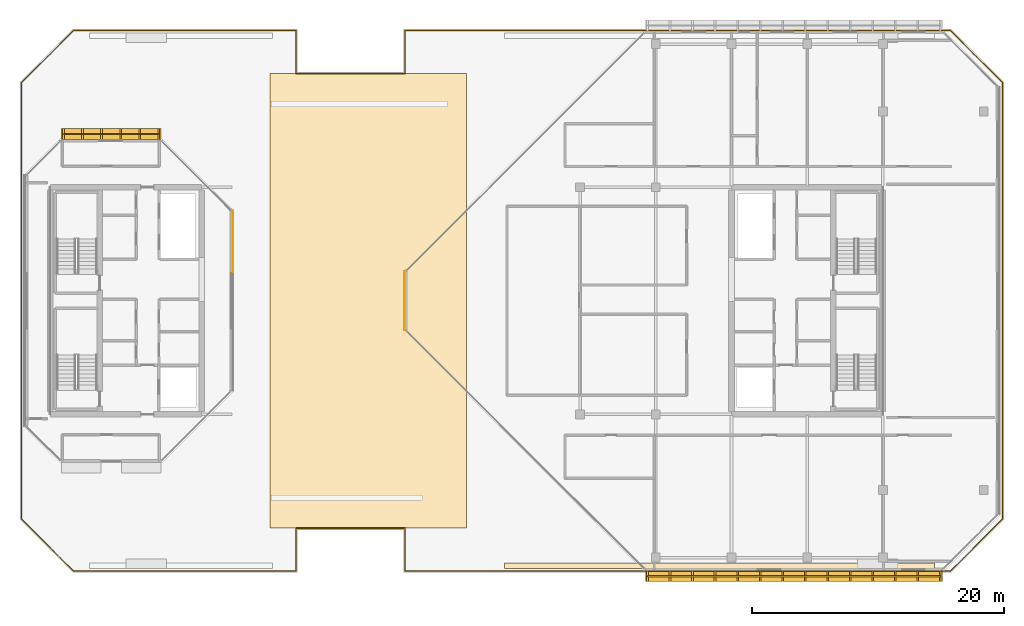
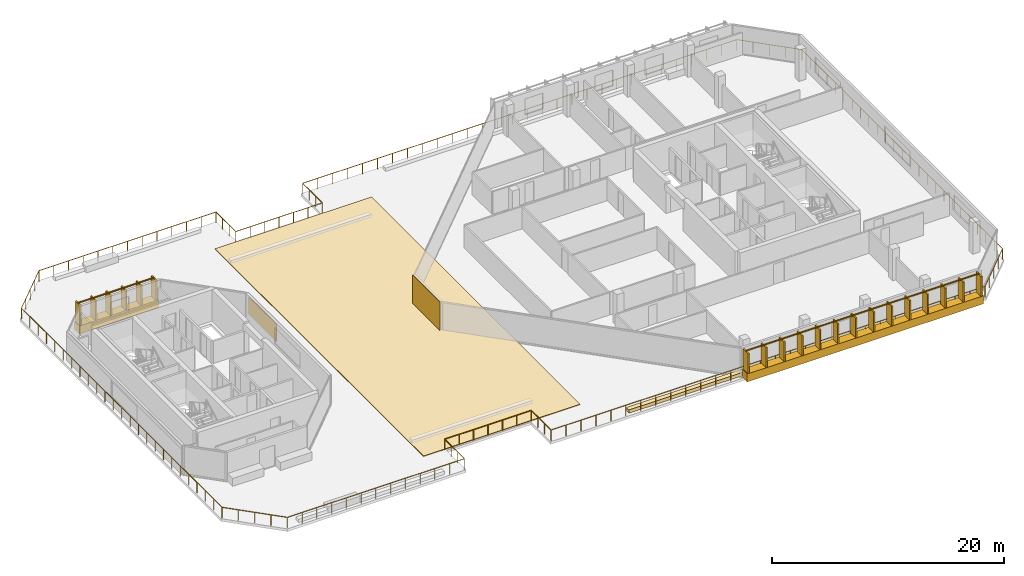
# One storey, part 28 of 30: 6 coverings, 4 railings.
"""IFC4 building model written with IfcOpenShell, lengths in metres."""

from ifc_helpers import new_model, si_unit, direction, frame, origin, origin_2d, place, context, subcontext, project, spatial, polyline, rectangle, outline, extrude, material, layer, layer_set, type_object, element, save


model = new_model("IFC4")

# Units and contexts
model_context = context("Model", 3, precision=1e-05, world=origin(), true_north=direction((0.0, 1.0)))
body_context = subcontext(model_context, "Body", "Model", "MODEL_VIEW")
ifc_project = project(units=[si_unit("LENGTHUNIT", "METRE"), si_unit("AREAUNIT", "SQUARE_METRE"), si_unit("VOLUMEUNIT", "CUBIC_METRE"), si_unit("PLANEANGLEUNIT", "RADIAN"), si_unit("MASSUNIT", "GRAM", prefix="KILO")], contexts=[model_context])

# Site, building, storey
site_placement = place(None, origin())
site = spatial("IfcSite", under=ifc_project, at=site_placement, CompositionType="ELEMENT")
building_placement = place(site_placement, origin())
building = spatial("IfcBuilding", under=site, at=building_placement, Name="Tanjung Sevakor Pilgrim Tower", CompositionType="ELEMENT")
storey_placement = place(building_placement, frame((0.0, 0.0, 229.35009765625)))
storey = spatial("IfcBuildingStorey", under=building, at=storey_placement, Name="L64", CompositionType="ELEMENT", Elevation=229.35009765625)

# Coverings
ifc_material_1 = material(Name="Reconstructed Limestone Cladding", Category="masonry")
ifc_layer_1 = layer(ifc_material_1, 0.044921875)
ifc_layer_set_1 = layer_set([ifc_layer_1], Name="COV-CLAD-LIMESTONE")
covering_type_1 = type_object("IfcCoveringType", Name="COV-CLAD-LIMESTONE", PredefinedType="CLADDING", material=ifc_layer_set_1)
covering_1_placement = place(storey_placement, frame((38.472412109375, 38.2822265625, 0.849853515625), z_axis=(0.0, 0.0, 1.0), x_axis=(0.0, 1.0, 0.0)))
element("IfcCovering", 1, at=covering_1_placement, inside=storey, type_object=covering_type_1, Name="L64 Warm Limestone Pier Panel EW-L64-WEST-3-2", PredefinedType="CLADDING", context=body_context, shape_type="SweptSolid", body=[
    extrude(rectangle(XDim=4.864501953125, YDim=0.044921875, at=origin_2d()), origin(), (0.0, 0.0, 1.0), 1.81005859375),
])
covering_2_placement = place(storey_placement, frame((28.824951171875, 46.830078125, 0.009765625), z_axis=(0.0, 0.0, 1.0), x_axis=(-1.0, 0.0, 0.0)))
element("IfcCovering", 2, at=covering_2_placement, inside=storey, type_object=covering_type_1, Name="L64 Warm Limestone Sill Spandrel EW-L64-WEST-5-1", PredefinedType="CLADDING", context=body_context, shape_type="SweptSolid", body=[
    extrude(rectangle(XDim=7.87890625, YDim=0.860107421875, at=origin_2d()), origin(), (0.0, 0.0, 1.0), 0.840087890625),
])
covering_3_placement = place(storey_placement, frame((82.949951171875, 11.77001953125, 0.009765625), z_axis=(0.0, 0.0, 1.0), x_axis=(1.0, 0.0, 0.0)))
element("IfcCovering", 3, at=covering_3_placement, inside=storey, type_object=covering_type_1, Name="L64 Warm Limestone Sill Spandrel EW-L64-EAST-1-1", PredefinedType="CLADDING", context=body_context, shape_type="SweptSolid", body=[
    extrude(rectangle(XDim=23.52880859375, YDim=0.860107421875, at=origin_2d()), origin(), (0.0, 0.0, 1.0), 0.840087890625),
])
covering_4_placement = place(storey_placement, frame((52.077392578125, 33.60009765625, 0.019775390625), z_axis=(0.0, 0.0, 1.0), x_axis=(0.0, -1.0, 0.0)))
element("IfcCovering", 4, at=covering_4_placement, inside=storey, type_object=covering_type_1, Name="L64 Warm Limestone Wall Cladding EW-L64-EAST-7", PredefinedType="CLADDING", context=body_context, shape_type="SweptSolid", body=[
    extrude(rectangle(XDim=4.668701171875, YDim=0.044921875, at=origin_2d()), origin(), (0.0, 0.0, 1.0), 3.0400390625),
])
ifc_material_2 = material(Name="Vegetated Modular Planter Assembly", Category="organic")
ifc_layer_2 = layer(ifc_material_2, 0.35009765625)
ifc_layer_set_2 = layer_set([ifc_layer_2], Name="COV-GRN-TROUGH")
covering_type_2 = type_object("IfcCoveringType", Name="COV-GRN-TROUGH", PredefinedType="CLADDING", material=ifc_layer_set_2)
covering_5_placement = place(storey_placement, origin())
element("IfcCovering", 5, at=covering_5_placement, inside=storey, type_object=covering_type_2, Name="L64 Planted Landscape Hedge Trough SGRN-L64-SE", PredefinedType="CLADDING", context=body_context, shape_type="SweptSolid", body=[
    extrude(outline(polyline([(60.0, 12.3798828125), (94.10009765625, 12.3798828125), (94.10009765625, 12.820068359375), (60.0, 12.820068359375), (60.0, 12.3798828125)])), origin(), (0.0, 0.0, 1.0), 0.349853515625),
])
ifc_material_3 = material(Name="Insulated Stone Ballast Roofing", Category="masonry")
ifc_layer_3 = layer(ifc_material_3, 0.06005859375)
ifc_layer_set_3 = layer_set([ifc_layer_3], Name="COV-ROOF-STONE")
covering_type_3 = type_object("IfcCoveringType", Name="COV-ROOF-STONE", PredefinedType="ROOFING", material=ifc_layer_set_3)
covering_6_placement = place(storey_placement, frame((49.199951171875, 33.60009765625, -0.000244140625), z_axis=(0.0, 0.0, 1.0), x_axis=(1.0, 0.0, 0.0)))
element("IfcCovering", 6, at=covering_6_placement, inside=storey, type_object=covering_type_3, Name="L64 Crown Cleft Stone Plaza Paving", PredefinedType="ROOFING", context=body_context, shape_type="SweptSolid", body=[
    extrude(rectangle(XDim=15.60009765625, YDim=36.0, at=origin_2d()), origin(), (0.0, 0.0, 1.0), 0.06005859375),
])

# Railings
ifc_material_4 = material(Name="Steel S355J2", Category="steel")
railing_type_1 = type_object("IfcRailingType", Name="RL-EXT-GUARD", PredefinedType="GUARDRAIL", material=ifc_material_4)
railing_1_placement = place(storey_placement, frame((25.849609375, 12.169921875, 0.0)))
element("IfcRailing", 7, at=railing_1_placement, inside=storey, type_object=railing_type_1, Name="L64 Terrace Perimeter Guardrail GR-SKYTER-L64-1", PredefinedType="GUARDRAIL", context=body_context, shape_type="SweptSolid", body=[
    extrude(rectangle(XDim=0.0479, YDim=0.0479), frame((0.0, 0.0, 1.1259765625), z_axis=(1.0, 0.0, 0.0), x_axis=(0.0, 1.0, 0.0)), (0.0, 0.0, 1.0), 17.63037109375),
    extrude(rectangle(XDim=0.0479, YDim=0.0479), frame((17.63037109375, 0.0, 1.1259765625), z_axis=(0.0, 1.0, 0.0), x_axis=(-1.0, 0.0, 0.0)), (0.0, 0.0, 1.0), 3.400146484375),
    extrude(rectangle(XDim=0.0479, YDim=0.0479), frame((17.63037109375, 3.400146484375, 1.1259765625), z_axis=(1.0, 0.0, 0.0), x_axis=(0.0, 1.0, 0.0)), (0.0, 0.0, 1.0), 8.64013671875),
    extrude(rectangle(XDim=0.0479, YDim=0.0479), frame((26.2705078125, 3.400146484375, 1.1259765625), z_axis=(0.0, -1.0, 0.0), x_axis=(1.0, 0.0, 0.0)), (0.0, 0.0, 1.0), 3.400146484375),
    extrude(rectangle(XDim=0.0479, YDim=0.0479), frame((26.2705078125, 0.0, 1.1259765625), z_axis=(1.0, 0.0, 0.0), x_axis=(0.0, 1.0, 0.0)), (0.0, 0.0, 1.0), 43.230224609375),
    extrude(rectangle(XDim=0.0479, YDim=0.0479), frame((69.500732421875, 0.0, 1.1259765625), z_axis=(0.707085879728, 0.707127682027, 0.0), x_axis=(-0.707127682027, 0.707085879728, 0.0)), (0.0, 0.0, 1.0), 5.84033203125),
    extrude(rectangle(XDim=0.0479, YDim=0.0479), frame((73.63037109375, 4.1298828125, 1.1259765625), z_axis=(0.0, 1.0, 0.0), x_axis=(-1.0, 0.0, 0.0)), (0.0, 0.0, 1.0), 34.6005859375),
    extrude(rectangle(XDim=0.0479, YDim=0.0479), frame((73.63037109375, 38.73046875, 1.1259765625), z_axis=(-0.707106781187, 0.707106781187, 0.0), x_axis=(-0.707106781187, -0.707106781187, 0.0)), (0.0, 0.0, 1.0), 5.840087890625),
    extrude(rectangle(XDim=0.042, YDim=0.042), origin(), (0.0, 0.0, 1.0), 1.101806640625),
    extrude(rectangle(XDim=0.042, YDim=0.042), frame((1.46923828125, 0.0, 0.0)), (0.0, 0.0, 1.0), 1.101806640625),
    extrude(rectangle(XDim=0.042, YDim=0.042), frame((2.9384765625, 0.0, 0.0)), (0.0, 0.0, 1.0), 1.101806640625),
    extrude(rectangle(XDim=0.042, YDim=0.042), frame((4.40771484375, 0.0, 0.0)), (0.0, 0.0, 1.0), 1.101806640625),
    extrude(rectangle(XDim=0.042, YDim=0.042), frame((5.876708984375, 0.0, 0.0)), (0.0, 0.0, 1.0), 1.101806640625),
    extrude(rectangle(XDim=0.042, YDim=0.042), frame((7.345947265625, 0.0, 0.0)), (0.0, 0.0, 1.0), 1.101806640625),
    extrude(rectangle(XDim=0.042, YDim=0.042), frame((8.815185546875, 0.0, 0.0)), (0.0, 0.0, 1.0), 1.101806640625),
    extrude(rectangle(XDim=0.042, YDim=0.042), frame((10.284423828125, 0.0, 0.0)), (0.0, 0.0, 1.0), 1.101806640625),
    extrude(rectangle(XDim=0.042, YDim=0.042), frame((11.753662109375, 0.0, 0.0)), (0.0, 0.0, 1.0), 1.101806640625),
    extrude(rectangle(XDim=0.042, YDim=0.042), frame((13.22265625, 0.0, 0.0)), (0.0, 0.0, 1.0), 1.101806640625),
    extrude(rectangle(XDim=0.042, YDim=0.042), frame((14.69189453125, 0.0, 0.0)), (0.0, 0.0, 1.0), 1.101806640625),
    extrude(rectangle(XDim=0.042, YDim=0.042), frame((16.1611328125, 0.0, 0.0)), (0.0, 0.0, 1.0), 1.101806640625),
    extrude(rectangle(XDim=0.042, YDim=0.042), frame((17.63037109375, 0.0, 0.0)), (0.0, 0.0, 1.0), 1.101806640625),
    extrude(rectangle(XDim=0.042, YDim=0.042), frame((17.63037109375, 1.13330078125, 0.0)), (0.0, 0.0, 1.0), 1.101806640625),
    extrude(rectangle(XDim=0.042, YDim=0.042), frame((17.63037109375, 2.266845703125, 0.0)), (0.0, 0.0, 1.0), 1.101806640625),
    extrude(rectangle(XDim=0.042, YDim=0.042), frame((17.63037109375, 3.400146484375, 0.0)), (0.0, 0.0, 1.0), 1.101806640625),
    extrude(rectangle(XDim=0.042, YDim=0.042), frame((19.0703125, 3.400146484375, 0.0)), (0.0, 0.0, 1.0), 1.101806640625),
    extrude(rectangle(XDim=0.042, YDim=0.042), frame((20.510498046875, 3.400146484375, 0.0)), (0.0, 0.0, 1.0), 1.101806640625),
    extrude(rectangle(XDim=0.042, YDim=0.042), frame((21.950439453125, 3.400146484375, 0.0)), (0.0, 0.0, 1.0), 1.101806640625),
    extrude(rectangle(XDim=0.042, YDim=0.042), frame((23.390380859375, 3.400146484375, 0.0)), (0.0, 0.0, 1.0), 1.101806640625),
    extrude(rectangle(XDim=0.042, YDim=0.042), frame((24.83056640625, 3.400146484375, 0.0)), (0.0, 0.0, 1.0), 1.101806640625),
    extrude(rectangle(XDim=0.042, YDim=0.042), frame((26.2705078125, 3.400146484375, 0.0)), (0.0, 0.0, 1.0), 1.101806640625),
    extrude(rectangle(XDim=0.042, YDim=0.042), frame((26.2705078125, 2.266845703125, 0.0)), (0.0, 0.0, 1.0), 1.101806640625),
    extrude(rectangle(XDim=0.042, YDim=0.042), frame((26.2705078125, 1.13330078125, 0.0)), (0.0, 0.0, 1.0), 1.101806640625),
    extrude(rectangle(XDim=0.042, YDim=0.042), frame((26.2705078125, 0.0, 0.0)), (0.0, 0.0, 1.0), 1.101806640625),
    extrude(rectangle(XDim=0.042, YDim=0.042), frame((27.76123046875, 0.0, 0.0)), (0.0, 0.0, 1.0), 1.101806640625),
    extrude(rectangle(XDim=0.042, YDim=0.042), frame((29.251953125, 0.0, 0.0)), (0.0, 0.0, 1.0), 1.101806640625),
    extrude(rectangle(XDim=0.042, YDim=0.042), frame((30.74267578125, 0.0, 0.0)), (0.0, 0.0, 1.0), 1.101806640625),
    extrude(rectangle(XDim=0.042, YDim=0.042), frame((32.2333984375, 0.0, 0.0)), (0.0, 0.0, 1.0), 1.101806640625),
    extrude(rectangle(XDim=0.042, YDim=0.042), frame((33.723876953125, 0.0, 0.0)), (0.0, 0.0, 1.0), 1.101806640625),
    extrude(rectangle(XDim=0.042, YDim=0.042), frame((35.214599609375, 0.0, 0.0)), (0.0, 0.0, 1.0), 1.101806640625),
    extrude(rectangle(XDim=0.042, YDim=0.042), frame((36.705322265625, 0.0, 0.0)), (0.0, 0.0, 1.0), 1.101806640625),
    extrude(rectangle(XDim=0.042, YDim=0.042), frame((38.196044921875, 0.0, 0.0)), (0.0, 0.0, 1.0), 1.101806640625),
    extrude(rectangle(XDim=0.042, YDim=0.042), frame((39.686767578125, 0.0, 0.0)), (0.0, 0.0, 1.0), 1.101806640625),
    extrude(rectangle(XDim=0.042, YDim=0.042), frame((41.177490234375, 0.0, 0.0)), (0.0, 0.0, 1.0), 1.101806640625),
    extrude(rectangle(XDim=0.042, YDim=0.042), frame((42.668212890625, 0.0, 0.0)), (0.0, 0.0, 1.0), 1.101806640625),
    extrude(rectangle(XDim=0.042, YDim=0.042), frame((44.158935546875, 0.0, 0.0)), (0.0, 0.0, 1.0), 1.101806640625),
    extrude(rectangle(XDim=0.042, YDim=0.042), frame((45.649658203125, 0.0, 0.0)), (0.0, 0.0, 1.0), 1.101806640625),
    extrude(rectangle(XDim=0.042, YDim=0.042), frame((47.140380859375, 0.0, 0.0)), (0.0, 0.0, 1.0), 1.101806640625),
    extrude(rectangle(XDim=0.042, YDim=0.042), frame((48.630859375, 0.0, 0.0)), (0.0, 0.0, 1.0), 1.101806640625),
    extrude(rectangle(XDim=0.042, YDim=0.042), frame((50.12158203125, 0.0, 0.0)), (0.0, 0.0, 1.0), 1.101806640625),
    extrude(rectangle(XDim=0.042, YDim=0.042), frame((51.6123046875, 0.0, 0.0)), (0.0, 0.0, 1.0), 1.101806640625),
    extrude(rectangle(XDim=0.042, YDim=0.042), frame((53.10302734375, 0.0, 0.0)), (0.0, 0.0, 1.0), 1.101806640625),
    extrude(rectangle(XDim=0.042, YDim=0.042), frame((54.59375, 0.0, 0.0)), (0.0, 0.0, 1.0), 1.101806640625),
    extrude(rectangle(XDim=0.042, YDim=0.042), frame((56.08447265625, 0.0, 0.0)), (0.0, 0.0, 1.0), 1.101806640625),
    extrude(rectangle(XDim=0.042, YDim=0.042), frame((57.5751953125, 0.0, 0.0)), (0.0, 0.0, 1.0), 1.101806640625),
    extrude(rectangle(XDim=0.042, YDim=0.042), frame((59.06591796875, 0.0, 0.0)), (0.0, 0.0, 1.0), 1.101806640625),
    extrude(rectangle(XDim=0.042, YDim=0.042), frame((60.556640625, 0.0, 0.0)), (0.0, 0.0, 1.0), 1.101806640625),
    extrude(rectangle(XDim=0.042, YDim=0.042), frame((62.04736328125, 0.0, 0.0)), (0.0, 0.0, 1.0), 1.101806640625),
    extrude(rectangle(XDim=0.042, YDim=0.042), frame((63.537841796875, 0.0, 0.0)), (0.0, 0.0, 1.0), 1.101806640625),
    extrude(rectangle(XDim=0.042, YDim=0.042), frame((65.028564453125, 0.0, 0.0)), (0.0, 0.0, 1.0), 1.101806640625),
    extrude(rectangle(XDim=0.042, YDim=0.042), frame((66.519287109375, 0.0, 0.0)), (0.0, 0.0, 1.0), 1.101806640625),
    extrude(rectangle(XDim=0.042, YDim=0.042), frame((68.010009765625, 0.0, 0.0)), (0.0, 0.0, 1.0), 1.101806640625),
    extrude(rectangle(XDim=0.042, YDim=0.042), frame((69.500732421875, 0.0, 0.0)), (0.0, 0.0, 1.0), 1.101806640625),
    extrude(rectangle(XDim=0.042, YDim=0.042), frame((70.533203125, 1.032470703125, 0.0)), (0.0, 0.0, 1.0), 1.101806640625),
    extrude(rectangle(XDim=0.042, YDim=0.042), frame((71.5654296875, 2.06494140625, 0.0)), (0.0, 0.0, 1.0), 1.101806640625),
    extrude(rectangle(XDim=0.042, YDim=0.042), frame((72.597900390625, 3.097412109375, 0.0)), (0.0, 0.0, 1.0), 1.101806640625),
    extrude(rectangle(XDim=0.042, YDim=0.042), frame((73.63037109375, 4.1298828125, 0.0)), (0.0, 0.0, 1.0), 1.101806640625),
    extrude(rectangle(XDim=0.042, YDim=0.042), frame((73.63037109375, 5.571533203125, 0.0)), (0.0, 0.0, 1.0), 1.101806640625),
    extrude(rectangle(XDim=0.042, YDim=0.042), frame((73.63037109375, 7.01318359375, 0.0)), (0.0, 0.0, 1.0), 1.101806640625),
    extrude(rectangle(XDim=0.042, YDim=0.042), frame((73.63037109375, 8.455078125, 0.0)), (0.0, 0.0, 1.0), 1.101806640625),
    extrude(rectangle(XDim=0.042, YDim=0.042), frame((73.63037109375, 9.896728515625, 0.0)), (0.0, 0.0, 1.0), 1.101806640625),
    extrude(rectangle(XDim=0.042, YDim=0.042), frame((73.63037109375, 11.33837890625, 0.0)), (0.0, 0.0, 1.0), 1.101806640625),
    extrude(rectangle(XDim=0.042, YDim=0.042), frame((73.63037109375, 12.780029296875, 0.0)), (0.0, 0.0, 1.0), 1.101806640625),
    extrude(rectangle(XDim=0.042, YDim=0.042), frame((73.63037109375, 14.2216796875, 0.0)), (0.0, 0.0, 1.0), 1.101806640625),
    extrude(rectangle(XDim=0.042, YDim=0.042), frame((73.63037109375, 15.663330078125, 0.0)), (0.0, 0.0, 1.0), 1.101806640625),
    extrude(rectangle(XDim=0.042, YDim=0.042), frame((73.63037109375, 17.10498046875, 0.0)), (0.0, 0.0, 1.0), 1.101806640625),
    extrude(rectangle(XDim=0.042, YDim=0.042), frame((73.63037109375, 18.546875, 0.0)), (0.0, 0.0, 1.0), 1.101806640625),
    extrude(rectangle(XDim=0.042, YDim=0.042), frame((73.63037109375, 19.988525390625, 0.0)), (0.0, 0.0, 1.0), 1.101806640625),
    extrude(rectangle(XDim=0.042, YDim=0.042), frame((73.63037109375, 21.43017578125, 0.0)), (0.0, 0.0, 1.0), 1.101806640625),
    extrude(rectangle(XDim=0.042, YDim=0.042), frame((73.63037109375, 22.871826171875, 0.0)), (0.0, 0.0, 1.0), 1.101806640625),
    extrude(rectangle(XDim=0.042, YDim=0.042), frame((73.63037109375, 24.3134765625, 0.0)), (0.0, 0.0, 1.0), 1.101806640625),
    extrude(rectangle(XDim=0.042, YDim=0.042), frame((73.63037109375, 25.75537109375, 0.0)), (0.0, 0.0, 1.0), 1.101806640625),
    extrude(rectangle(XDim=0.042, YDim=0.042), frame((73.63037109375, 27.197021484375, 0.0)), (0.0, 0.0, 1.0), 1.101806640625),
    extrude(rectangle(XDim=0.042, YDim=0.042), frame((73.63037109375, 28.638671875, 0.0)), (0.0, 0.0, 1.0), 1.101806640625),
    extrude(rectangle(XDim=0.042, YDim=0.042), frame((73.63037109375, 30.080322265625, 0.0)), (0.0, 0.0, 1.0), 1.101806640625),
    extrude(rectangle(XDim=0.042, YDim=0.042), frame((73.63037109375, 31.52197265625, 0.0)), (0.0, 0.0, 1.0), 1.101806640625),
    extrude(rectangle(XDim=0.042, YDim=0.042), frame((73.63037109375, 32.963623046875, 0.0)), (0.0, 0.0, 1.0), 1.101806640625),
    extrude(rectangle(XDim=0.042, YDim=0.042), frame((73.63037109375, 34.4052734375, 0.0)), (0.0, 0.0, 1.0), 1.101806640625),
    extrude(rectangle(XDim=0.042, YDim=0.042), frame((73.63037109375, 35.84716796875, 0.0)), (0.0, 0.0, 1.0), 1.101806640625),
    extrude(rectangle(XDim=0.042, YDim=0.042), frame((73.63037109375, 37.288818359375, 0.0)), (0.0, 0.0, 1.0), 1.101806640625),
    extrude(rectangle(XDim=0.042, YDim=0.042), frame((73.63037109375, 38.73046875, 0.0)), (0.0, 0.0, 1.0), 1.101806640625),
    extrude(rectangle(XDim=0.042, YDim=0.042), frame((72.597900390625, 39.762939453125, 0.0)), (0.0, 0.0, 1.0), 1.101806640625),
    extrude(rectangle(XDim=0.042, YDim=0.042), frame((71.5654296875, 40.79541015625, 0.0)), (0.0, 0.0, 1.0), 1.101806640625),
    extrude(rectangle(XDim=0.042, YDim=0.042), frame((70.533203125, 41.82763671875, 0.0)), (0.0, 0.0, 1.0), 1.101806640625),
    extrude(rectangle(XDim=0.042, YDim=0.042), frame((69.500732421875, 42.860107421875, 0.0)), (0.0, 0.0, 1.0), 1.101806640625),
])
railing_2_placement = place(storey_placement, frame((95.350341796875, 55.030029296875, 0.0)))
element("IfcRailing", 8, at=railing_2_placement, inside=storey, type_object=railing_type_1, Name="L64 Terrace Perimeter Guardrail GR-SKYTER-L64-2", PredefinedType="GUARDRAIL", context=body_context, shape_type="SweptSolid", body=[
    extrude(rectangle(XDim=0.0479, YDim=0.0479), frame((0.0, 0.0, 1.1259765625), z_axis=(-1.0, 0.0, 0.0), x_axis=(0.0, -1.0, 0.0)), (0.0, 0.0, 1.0), 43.230224609375),
    extrude(rectangle(XDim=0.0479, YDim=0.0479), frame((-43.230224609375, 0.0, 1.1259765625), z_axis=(0.0, -1.0, 0.0), x_axis=(1.0, 0.0, 0.0)), (0.0, 0.0, 1.0), 3.400146484375),
    extrude(rectangle(XDim=0.0479, YDim=0.0479), frame((-43.230224609375, -3.400146484375, 1.1259765625), z_axis=(-1.0, 0.0, 0.0), x_axis=(0.0, -1.0, 0.0)), (0.0, 0.0, 1.0), 8.64013671875),
    extrude(rectangle(XDim=0.0479, YDim=0.0479), frame((-51.870361328125, -3.400146484375, 1.1259765625), z_axis=(0.0, 1.0, 0.0), x_axis=(-1.0, 0.0, 0.0)), (0.0, 0.0, 1.0), 3.400146484375),
    extrude(rectangle(XDim=0.0479, YDim=0.0479), frame((-51.870361328125, 0.0, 1.1259765625), z_axis=(-1.0, 0.0, 0.0), x_axis=(0.0, -1.0, 0.0)), (0.0, 0.0, 1.0), 17.63037109375),
    extrude(rectangle(XDim=0.0479, YDim=0.0479), frame((-69.500732421875, 0.0, 1.1259765625), z_axis=(-0.707106781187, -0.707106781187, 0.0), x_axis=(0.707106781187, -0.707106781187, 0.0)), (0.0, 0.0, 1.0), 5.840087890625),
    extrude(rectangle(XDim=0.0479, YDim=0.0479), frame((-73.63037109375, -4.129638671875, 1.1259765625), z_axis=(0.0, -1.0, 0.0), x_axis=(1.0, 0.0, 0.0)), (0.0, 0.0, 1.0), 34.6005859375),
    extrude(rectangle(XDim=0.0479, YDim=0.0479), frame((-73.63037109375, -38.730224609375, 1.1259765625), z_axis=(0.707085879728, -0.707127682027, 0.0), x_axis=(0.707127682027, 0.707085879728, 0.0)), (0.0, 0.0, 1.0), 5.84033203125),
    extrude(rectangle(XDim=0.042, YDim=0.042), origin(), (0.0, 0.0, 1.0), 1.101806640625),
    extrude(rectangle(XDim=0.042, YDim=0.042), frame((-1.49072265625, 0.0, 0.0)), (0.0, 0.0, 1.0), 1.101806640625),
    extrude(rectangle(XDim=0.042, YDim=0.042), frame((-2.9814453125, 0.0, 0.0)), (0.0, 0.0, 1.0), 1.101806640625),
    extrude(rectangle(XDim=0.042, YDim=0.042), frame((-4.47216796875, 0.0, 0.0)), (0.0, 0.0, 1.0), 1.101806640625),
    extrude(rectangle(XDim=0.042, YDim=0.042), frame((-5.962890625, 0.0, 0.0)), (0.0, 0.0, 1.0), 1.101806640625),
    extrude(rectangle(XDim=0.042, YDim=0.042), frame((-7.453369140625, 0.0, 0.0)), (0.0, 0.0, 1.0), 1.101806640625),
    extrude(rectangle(XDim=0.042, YDim=0.042), frame((-8.944091796875, 0.0, 0.0)), (0.0, 0.0, 1.0), 1.101806640625),
    extrude(rectangle(XDim=0.042, YDim=0.042), frame((-10.434814453125, 0.0, 0.0)), (0.0, 0.0, 1.0), 1.101806640625),
    extrude(rectangle(XDim=0.042, YDim=0.042), frame((-11.925537109375, 0.0, 0.0)), (0.0, 0.0, 1.0), 1.101806640625),
    extrude(rectangle(XDim=0.042, YDim=0.042), frame((-13.416259765625, 0.0, 0.0)), (0.0, 0.0, 1.0), 1.101806640625),
    extrude(rectangle(XDim=0.042, YDim=0.042), frame((-14.906982421875, 0.0, 0.0)), (0.0, 0.0, 1.0), 1.101806640625),
    extrude(rectangle(XDim=0.042, YDim=0.042), frame((-16.397705078125, 0.0, 0.0)), (0.0, 0.0, 1.0), 1.101806640625),
    extrude(rectangle(XDim=0.042, YDim=0.042), frame((-17.888427734375, 0.0, 0.0)), (0.0, 0.0, 1.0), 1.101806640625),
    extrude(rectangle(XDim=0.042, YDim=0.042), frame((-19.379150390625, 0.0, 0.0)), (0.0, 0.0, 1.0), 1.101806640625),
    extrude(rectangle(XDim=0.042, YDim=0.042), frame((-20.869873046875, 0.0, 0.0)), (0.0, 0.0, 1.0), 1.101806640625),
    extrude(rectangle(XDim=0.042, YDim=0.042), frame((-22.3603515625, 0.0, 0.0)), (0.0, 0.0, 1.0), 1.101806640625),
    extrude(rectangle(XDim=0.042, YDim=0.042), frame((-23.85107421875, 0.0, 0.0)), (0.0, 0.0, 1.0), 1.101806640625),
    extrude(rectangle(XDim=0.042, YDim=0.042), frame((-25.341796875, 0.0, 0.0)), (0.0, 0.0, 1.0), 1.101806640625),
    extrude(rectangle(XDim=0.042, YDim=0.042), frame((-26.83251953125, 0.0, 0.0)), (0.0, 0.0, 1.0), 1.101806640625),
    extrude(rectangle(XDim=0.042, YDim=0.042), frame((-28.3232421875, 0.0, 0.0)), (0.0, 0.0, 1.0), 1.101806640625),
    extrude(rectangle(XDim=0.042, YDim=0.042), frame((-29.81396484375, 0.0, 0.0)), (0.0, 0.0, 1.0), 1.101806640625),
    extrude(rectangle(XDim=0.042, YDim=0.042), frame((-31.3046875, 0.0, 0.0)), (0.0, 0.0, 1.0), 1.101806640625),
    extrude(rectangle(XDim=0.042, YDim=0.042), frame((-32.79541015625, 0.0, 0.0)), (0.0, 0.0, 1.0), 1.101806640625),
    extrude(rectangle(XDim=0.042, YDim=0.042), frame((-34.2861328125, 0.0, 0.0)), (0.0, 0.0, 1.0), 1.101806640625),
    extrude(rectangle(XDim=0.042, YDim=0.042), frame((-35.77685546875, 0.0, 0.0)), (0.0, 0.0, 1.0), 1.101806640625),
    extrude(rectangle(XDim=0.042, YDim=0.042), frame((-37.267333984375, 0.0, 0.0)), (0.0, 0.0, 1.0), 1.101806640625),
    extrude(rectangle(XDim=0.042, YDim=0.042), frame((-38.758056640625, 0.0, 0.0)), (0.0, 0.0, 1.0), 1.101806640625),
    extrude(rectangle(XDim=0.042, YDim=0.042), frame((-40.248779296875, 0.0, 0.0)), (0.0, 0.0, 1.0), 1.101806640625),
    extrude(rectangle(XDim=0.042, YDim=0.042), frame((-41.739501953125, 0.0, 0.0)), (0.0, 0.0, 1.0), 1.101806640625),
    extrude(rectangle(XDim=0.042, YDim=0.042), frame((-43.230224609375, 0.0, 0.0)), (0.0, 0.0, 1.0), 1.101806640625),
    extrude(rectangle(XDim=0.042, YDim=0.042), frame((-43.230224609375, -1.13330078125, 0.0)), (0.0, 0.0, 1.0), 1.101806640625),
    extrude(rectangle(XDim=0.042, YDim=0.042), frame((-43.230224609375, -2.266845703125, 0.0)), (0.0, 0.0, 1.0), 1.101806640625),
    extrude(rectangle(XDim=0.042, YDim=0.042), frame((-43.230224609375, -3.400146484375, 0.0)), (0.0, 0.0, 1.0), 1.101806640625),
    extrude(rectangle(XDim=0.042, YDim=0.042), frame((-44.670166015625, -3.400146484375, 0.0)), (0.0, 0.0, 1.0), 1.101806640625),
    extrude(rectangle(XDim=0.042, YDim=0.042), frame((-46.1103515625, -3.400146484375, 0.0)), (0.0, 0.0, 1.0), 1.101806640625),
    extrude(rectangle(XDim=0.042, YDim=0.042), frame((-47.55029296875, -3.400146484375, 0.0)), (0.0, 0.0, 1.0), 1.101806640625),
    extrude(rectangle(XDim=0.042, YDim=0.042), frame((-48.990234375, -3.400146484375, 0.0)), (0.0, 0.0, 1.0), 1.101806640625),
    extrude(rectangle(XDim=0.042, YDim=0.042), frame((-50.430419921875, -3.400146484375, 0.0)), (0.0, 0.0, 1.0), 1.101806640625),
    extrude(rectangle(XDim=0.042, YDim=0.042), frame((-51.870361328125, -3.400146484375, 0.0)), (0.0, 0.0, 1.0), 1.101806640625),
    extrude(rectangle(XDim=0.042, YDim=0.042), frame((-51.870361328125, -2.266845703125, 0.0)), (0.0, 0.0, 1.0), 1.101806640625),
    extrude(rectangle(XDim=0.042, YDim=0.042), frame((-51.870361328125, -1.13330078125, 0.0)), (0.0, 0.0, 1.0), 1.101806640625),
    extrude(rectangle(XDim=0.042, YDim=0.042), frame((-51.870361328125, 0.0, 0.0)), (0.0, 0.0, 1.0), 1.101806640625),
    extrude(rectangle(XDim=0.042, YDim=0.042), frame((-53.339599609375, 0.0, 0.0)), (0.0, 0.0, 1.0), 1.101806640625),
    extrude(rectangle(XDim=0.042, YDim=0.042), frame((-54.808837890625, 0.0, 0.0)), (0.0, 0.0, 1.0), 1.101806640625),
    extrude(rectangle(XDim=0.042, YDim=0.042), frame((-56.27783203125, 0.0, 0.0)), (0.0, 0.0, 1.0), 1.101806640625),
    extrude(rectangle(XDim=0.042, YDim=0.042), frame((-57.7470703125, 0.0, 0.0)), (0.0, 0.0, 1.0), 1.101806640625),
    extrude(rectangle(XDim=0.042, YDim=0.042), frame((-59.21630859375, 0.0, 0.0)), (0.0, 0.0, 1.0), 1.101806640625),
    extrude(rectangle(XDim=0.042, YDim=0.042), frame((-60.685546875, 0.0, 0.0)), (0.0, 0.0, 1.0), 1.101806640625),
    extrude(rectangle(XDim=0.042, YDim=0.042), frame((-62.15478515625, 0.0, 0.0)), (0.0, 0.0, 1.0), 1.101806640625),
    extrude(rectangle(XDim=0.042, YDim=0.042), frame((-63.6240234375, 0.0, 0.0)), (0.0, 0.0, 1.0), 1.101806640625),
    extrude(rectangle(XDim=0.042, YDim=0.042), frame((-65.09326171875, 0.0, 0.0)), (0.0, 0.0, 1.0), 1.101806640625),
    extrude(rectangle(XDim=0.042, YDim=0.042), frame((-66.562255859375, 0.0, 0.0)), (0.0, 0.0, 1.0), 1.101806640625),
    extrude(rectangle(XDim=0.042, YDim=0.042), frame((-68.031494140625, 0.0, 0.0)), (0.0, 0.0, 1.0), 1.101806640625),
    extrude(rectangle(XDim=0.042, YDim=0.042), frame((-69.500732421875, 0.0, 0.0)), (0.0, 0.0, 1.0), 1.101806640625),
    extrude(rectangle(XDim=0.042, YDim=0.042), frame((-70.533203125, -1.032470703125, 0.0)), (0.0, 0.0, 1.0), 1.101806640625),
    extrude(rectangle(XDim=0.042, YDim=0.042), frame((-71.5654296875, -2.06494140625, 0.0)), (0.0, 0.0, 1.0), 1.101806640625),
    extrude(rectangle(XDim=0.042, YDim=0.042), frame((-72.597900390625, -3.09716796875, 0.0)), (0.0, 0.0, 1.0), 1.101806640625),
    extrude(rectangle(XDim=0.042, YDim=0.042), frame((-73.63037109375, -4.129638671875, 0.0)), (0.0, 0.0, 1.0), 1.101806640625),
    extrude(rectangle(XDim=0.042, YDim=0.042), frame((-73.63037109375, -5.5712890625, 0.0)), (0.0, 0.0, 1.0), 1.101806640625),
    extrude(rectangle(XDim=0.042, YDim=0.042), frame((-73.63037109375, -7.012939453125, 0.0)), (0.0, 0.0, 1.0), 1.101806640625),
    extrude(rectangle(XDim=0.042, YDim=0.042), frame((-73.63037109375, -8.45458984375, 0.0)), (0.0, 0.0, 1.0), 1.101806640625),
    extrude(rectangle(XDim=0.042, YDim=0.042), frame((-73.63037109375, -9.896484375, 0.0)), (0.0, 0.0, 1.0), 1.101806640625),
    extrude(rectangle(XDim=0.042, YDim=0.042), frame((-73.63037109375, -11.338134765625, 0.0)), (0.0, 0.0, 1.0), 1.101806640625),
    extrude(rectangle(XDim=0.042, YDim=0.042), frame((-73.63037109375, -12.77978515625, 0.0)), (0.0, 0.0, 1.0), 1.101806640625),
    extrude(rectangle(XDim=0.042, YDim=0.042), frame((-73.63037109375, -14.221435546875, 0.0)), (0.0, 0.0, 1.0), 1.101806640625),
    extrude(rectangle(XDim=0.042, YDim=0.042), frame((-73.63037109375, -15.6630859375, 0.0)), (0.0, 0.0, 1.0), 1.101806640625),
    extrude(rectangle(XDim=0.042, YDim=0.042), frame((-73.63037109375, -17.10498046875, 0.0)), (0.0, 0.0, 1.0), 1.101806640625),
    extrude(rectangle(XDim=0.042, YDim=0.042), frame((-73.63037109375, -18.546630859375, 0.0)), (0.0, 0.0, 1.0), 1.101806640625),
    extrude(rectangle(XDim=0.042, YDim=0.042), frame((-73.63037109375, -19.98828125, 0.0)), (0.0, 0.0, 1.0), 1.101806640625),
    extrude(rectangle(XDim=0.042, YDim=0.042), frame((-73.63037109375, -21.429931640625, 0.0)), (0.0, 0.0, 1.0), 1.101806640625),
    extrude(rectangle(XDim=0.042, YDim=0.042), frame((-73.63037109375, -22.87158203125, 0.0)), (0.0, 0.0, 1.0), 1.101806640625),
    extrude(rectangle(XDim=0.042, YDim=0.042), frame((-73.63037109375, -24.313232421875, 0.0)), (0.0, 0.0, 1.0), 1.101806640625),
    extrude(rectangle(XDim=0.042, YDim=0.042), frame((-73.63037109375, -25.7548828125, 0.0)), (0.0, 0.0, 1.0), 1.101806640625),
    extrude(rectangle(XDim=0.042, YDim=0.042), frame((-73.63037109375, -27.19677734375, 0.0)), (0.0, 0.0, 1.0), 1.101806640625),
    extrude(rectangle(XDim=0.042, YDim=0.042), frame((-73.63037109375, -28.638427734375, 0.0)), (0.0, 0.0, 1.0), 1.101806640625),
    extrude(rectangle(XDim=0.042, YDim=0.042), frame((-73.63037109375, -30.080078125, 0.0)), (0.0, 0.0, 1.0), 1.101806640625),
    extrude(rectangle(XDim=0.042, YDim=0.042), frame((-73.63037109375, -31.521728515625, 0.0)), (0.0, 0.0, 1.0), 1.101806640625),
    extrude(rectangle(XDim=0.042, YDim=0.042), frame((-73.63037109375, -32.96337890625, 0.0)), (0.0, 0.0, 1.0), 1.101806640625),
    extrude(rectangle(XDim=0.042, YDim=0.042), frame((-73.63037109375, -34.4052734375, 0.0)), (0.0, 0.0, 1.0), 1.101806640625),
    extrude(rectangle(XDim=0.042, YDim=0.042), frame((-73.63037109375, -35.846923828125, 0.0)), (0.0, 0.0, 1.0), 1.101806640625),
    extrude(rectangle(XDim=0.042, YDim=0.042), frame((-73.63037109375, -37.28857421875, 0.0)), (0.0, 0.0, 1.0), 1.101806640625),
    extrude(rectangle(XDim=0.042, YDim=0.042), frame((-73.63037109375, -38.730224609375, 0.0)), (0.0, 0.0, 1.0), 1.101806640625),
    extrude(rectangle(XDim=0.042, YDim=0.042), frame((-72.597900390625, -39.7626953125, 0.0)), (0.0, 0.0, 1.0), 1.101806640625),
    extrude(rectangle(XDim=0.042, YDim=0.042), frame((-71.5654296875, -40.795166015625, 0.0)), (0.0, 0.0, 1.0), 1.101806640625),
    extrude(rectangle(XDim=0.042, YDim=0.042), frame((-70.533203125, -41.82763671875, 0.0)), (0.0, 0.0, 1.0), 1.101806640625),
    extrude(rectangle(XDim=0.042, YDim=0.042), frame((-69.500732421875, -42.860107421875, 0.0)), (0.0, 0.0, 1.0), 1.101806640625),
])
ifc_material_5 = material(Name="Anodised Bronze Aluminium 6063-T6", Category="aluminium")
railing_type_2 = type_object("IfcRailingType", Name="RL-FIN-SCREEN", PredefinedType="BALUSTRADE", material=ifc_material_5)
railing_3_placement = place(storey_placement, frame((32.6044921875, 46.824951171875, 0.83984375)))
element("IfcRailing", 9, at=railing_3_placement, inside=storey, type_object=railing_type_2, Name="L64 Vertical Bronze-Gold Solar Fin Screen FNSCR-EW-L64-WEST-5-1", PredefinedType="BALUSTRADE", context=body_context, shape_type="SweptSolid", body=[
    extrude(rectangle(XDim=0.105, YDim=0.105), frame((0.0, 0.0, 2.157470703125), z_axis=(-1.0, 0.0, 0.0), x_axis=(0.0, -1.0, 0.0)), (0.0, 0.0, 1.0), 7.558837890625),
    extrude(rectangle(XDim=0.14, YDim=0.85), origin(), (0.0, 0.0, 1.0), 2.10498046875),
    extrude(rectangle(XDim=0.14, YDim=0.85), frame((-1.51171875, 0.0, 0.0)), (0.0, 0.0, 1.0), 2.10498046875),
    extrude(rectangle(XDim=0.14, YDim=0.85), frame((-3.0234375, 0.0, 0.0)), (0.0, 0.0, 1.0), 2.10498046875),
    extrude(rectangle(XDim=0.14, YDim=0.85), frame((-4.535400390625, 0.0, 0.0)), (0.0, 0.0, 1.0), 2.10498046875),
    extrude(rectangle(XDim=0.14, YDim=0.85), frame((-6.047119140625, 0.0, 0.0)), (0.0, 0.0, 1.0), 2.10498046875),
    extrude(rectangle(XDim=0.14, YDim=0.85), frame((-7.558837890625, 0.0, 0.0)), (0.0, 0.0, 1.0), 2.10498046875),
])
railing_4_placement = place(storey_placement, frame((71.345703125, 11.77490234375, 0.83984375)))
element("IfcRailing", 10, at=railing_4_placement, inside=storey, type_object=railing_type_2, Name="L64 Vertical Bronze-Gold Solar Fin Screen FNSCR-EW-L64-EAST-1-1", PredefinedType="BALUSTRADE", context=body_context, shape_type="SweptSolid", body=[
    extrude(rectangle(XDim=0.105, YDim=0.105), frame((0.0, 0.0, 2.157470703125), z_axis=(1.0, 0.0, 0.0), x_axis=(0.0, 1.0, 0.0)), (0.0, 0.0, 1.0), 23.208740234375),
    extrude(rectangle(XDim=0.14, YDim=0.85), origin(), (0.0, 0.0, 1.0), 2.10498046875),
    extrude(rectangle(XDim=0.14, YDim=0.85), frame((1.785400390625, 0.0, 0.0)), (0.0, 0.0, 1.0), 2.10498046875),
    extrude(rectangle(XDim=0.14, YDim=0.85), frame((3.570556640625, 0.0, 0.0)), (0.0, 0.0, 1.0), 2.10498046875),
    extrude(rectangle(XDim=0.14, YDim=0.85), frame((5.35595703125, 0.0, 0.0)), (0.0, 0.0, 1.0), 2.10498046875),
    extrude(rectangle(XDim=0.14, YDim=0.85), frame((7.14111328125, 0.0, 0.0)), (0.0, 0.0, 1.0), 2.10498046875),
    extrude(rectangle(XDim=0.14, YDim=0.85), frame((8.926513671875, 0.0, 0.0)), (0.0, 0.0, 1.0), 2.10498046875),
    extrude(rectangle(XDim=0.14, YDim=0.85), frame((10.711669921875, 0.0, 0.0)), (0.0, 0.0, 1.0), 2.10498046875),
    extrude(rectangle(XDim=0.14, YDim=0.85), frame((12.4970703125, 0.0, 0.0)), (0.0, 0.0, 1.0), 2.10498046875),
    extrude(rectangle(XDim=0.14, YDim=0.85), frame((14.2822265625, 0.0, 0.0)), (0.0, 0.0, 1.0), 2.10498046875),
    extrude(rectangle(XDim=0.14, YDim=0.85), frame((16.067626953125, 0.0, 0.0)), (0.0, 0.0, 1.0), 2.10498046875),
    extrude(rectangle(XDim=0.14, YDim=0.85), frame((17.852783203125, 0.0, 0.0)), (0.0, 0.0, 1.0), 2.10498046875),
    extrude(rectangle(XDim=0.14, YDim=0.85), frame((19.63818359375, 0.0, 0.0)), (0.0, 0.0, 1.0), 2.10498046875),
    extrude(rectangle(XDim=0.14, YDim=0.85), frame((21.42333984375, 0.0, 0.0)), (0.0, 0.0, 1.0), 2.10498046875),
    extrude(rectangle(XDim=0.14, YDim=0.85), frame((23.208740234375, 0.0, 0.0)), (0.0, 0.0, 1.0), 2.10498046875),
])

save(model, "model.ifc")
